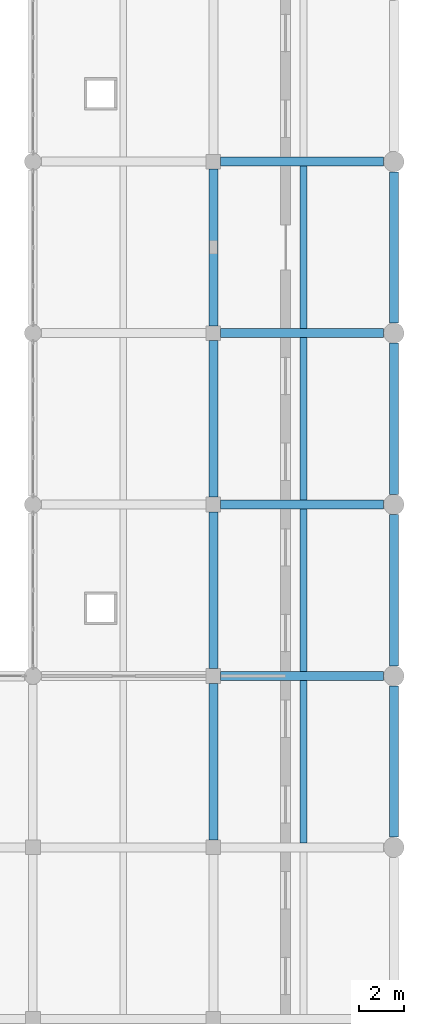
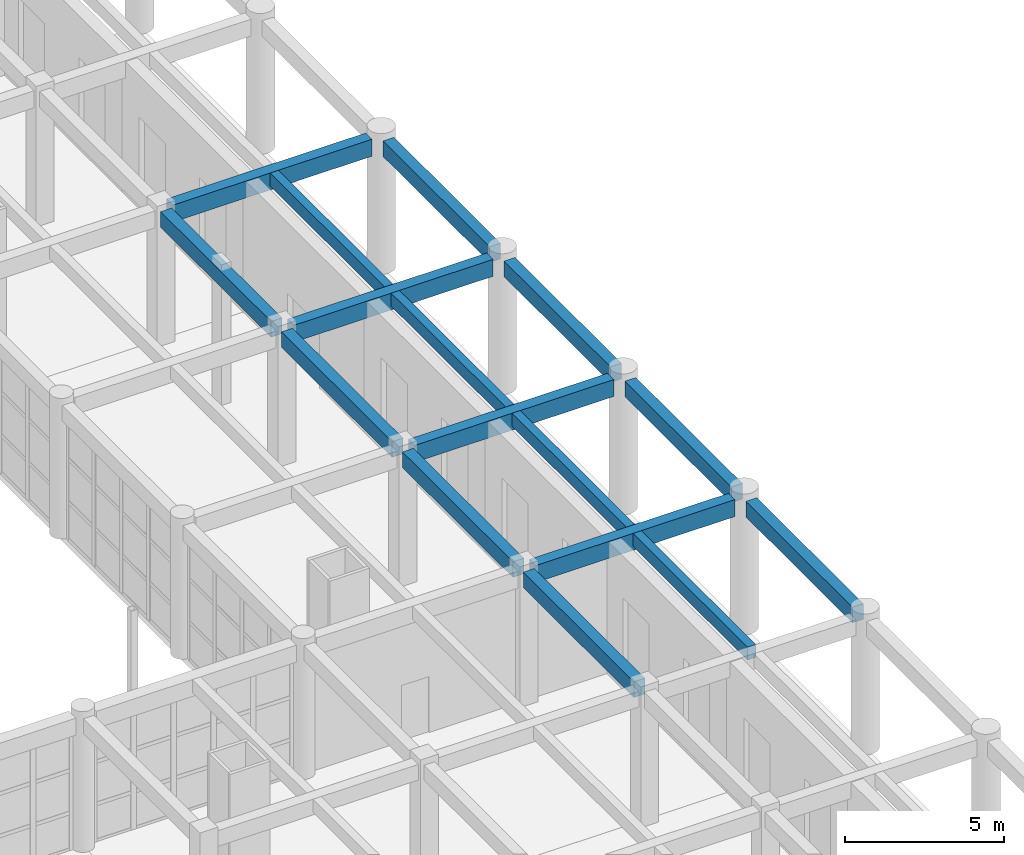
# One storey, part 53 of 95: 16 beams.
"""IFC4 building model written with IfcOpenShell, lengths in metres."""

from ifc_helpers import new_model, si_unit, direction, frame, origin, origin_2d, place, context, subcontext, project, spatial, rectangle, extrude, material, material_profile, profile_set, type_object, element, save


model = new_model("IFC4")

# Units and contexts
model_context = context("Model", 3, precision=1e-05, world=origin(), true_north=direction((0.0, 1.0)))
body_context = subcontext(model_context, "Body", "Model", "MODEL_VIEW")
ifc_project = project(units=[si_unit("LENGTHUNIT", "METRE"), si_unit("AREAUNIT", "SQUARE_METRE"), si_unit("VOLUMEUNIT", "CUBIC_METRE"), si_unit("PLANEANGLEUNIT", "RADIAN"), si_unit("MASSUNIT", "GRAM", prefix="KILO")], contexts=[model_context])

# Site, building, storey
site_placement = place(None, origin())
site = spatial("IfcSite", under=ifc_project, at=site_placement, CompositionType="ELEMENT")
building_placement = place(site_placement, origin())
building = spatial("IfcBuilding", under=site, at=building_placement, Name="Zantavel Square City Hall", CompositionType="ELEMENT")
storey_placement = place(building_placement, origin())
storey = spatial("IfcBuildingStorey", under=building, at=storey_placement, Name="L01", CompositionType="ELEMENT", Elevation=0.0)

# Beams
ifc_material = material(Name="Concrete C35/45", Category="concrete")
ifc_material_profile_1 = material_profile(ifc_material, rectangle(XDim=0.300048828125, YDim=0.5, at=origin_2d()), Name="RC 300x500")
ifc_profile_set_1 = profile_set([ifc_material_profile_1], Name="Concrete C35/45")
beam_type_1 = type_object("IfcBeamType", Name="Floor Joist RC 300x500 C35/45", PredefinedType="JOIST", material=ifc_profile_set_1)
for number, where, z_axis, x_axis, name in (
    (1, (164.0, 30.60009765625, 4.89990234375), (0.0, 1.0, 0.0), (-1.0, 0.0, 0.0), "L01 Floor Joist JST-L01-1640-0304"),
    (2, (164.0, 38.199951171875, 4.89990234375), (0.0, 1.0, 0.0), (-1.0, 0.0, 0.0), "L01 Floor Joist JST-L01-1640-0380"),
    (3, (164.0, 45.800048828125, 4.89990234375), (0.0, 1.0, 0.0), (-1.0, 0.0, 0.0), "L01 Floor Joist JST-L01-1640-0456"),
):
    element("IfcBeam", number, at=place(storey_placement, frame(where, z_axis=z_axis, x_axis=x_axis)), inside=storey, type_object=beam_type_1, Name=name, PredefinedType="JOIST", context=body_context, shape_type="SweptSolid", body=[
        extrude(rectangle(XDim=0.300048828125, YDim=0.5, at=origin_2d()), origin(), (0.0, 0.0, 1.0), 7.199951171875),
    ])
beam_1_placement = place(storey_placement, frame((164.0, 53.39990234375, 4.89990234375), z_axis=(0.0, 1.0, 0.0), x_axis=(-1.0, 0.0, 0.0)))
element("IfcBeam", 4, at=beam_1_placement, inside=storey, type_object=beam_type_1, Name="L01 Floor Joist JST-L01-1640-0532", PredefinedType="JOIST", context=body_context, shape_type="SweptSolid", body=[
    extrude(rectangle(XDim=0.300048828125, YDim=0.5, at=origin_2d()), origin(), (0.0, 0.0, 1.0), 7.2001953125),
])
ifc_material_profile_2 = material_profile(ifc_material, rectangle(XDim=0.39990234375, YDim=0.64990234375, at=origin_2d()), Name="RC 400x650")
ifc_profile_set_2 = profile_set([ifc_material_profile_2], Name="Concrete C35/45")
beam_type_2 = type_object("IfcBeamType", Name="Frame Beam RC 400x650 C35/45", PredefinedType="BEAM", material=ifc_profile_set_2)
for number, where, z_axis, x_axis, name in (
    (5, (160.324951171875, 38.0, 4.824951171875), (1.0, 0.0, 0.0), (0.0, 1.0, 0.0), "L01 Girder BMX-L01-1600-0380"),
    (6, (160.324951171875, 45.60009765625, 4.824951171875), (1.0, 0.0, 0.0), (0.0, 1.0, 0.0), "L01 Girder BMX-L01-1600-0456"),
    (7, (160.324951171875, 53.199951171875, 4.824951171875), (1.0, 0.0, 0.0), (0.0, 1.0, 0.0), "L01 Girder BMX-L01-1600-0532"),
    (8, (160.324951171875, 60.800048828125, 4.824951171875), (1.0, 0.0, 0.0), (0.0, 1.0, 0.0), "L01 Girder BMX-L01-1600-0608"),
):
    element("IfcBeam", number, at=place(storey_placement, frame(where, z_axis=z_axis, x_axis=x_axis)), inside=storey, type_object=beam_type_2, Name=name, PredefinedType="BEAM", context=body_context, shape_type="SweptSolid", body=[
        extrude(rectangle(XDim=0.39990234375, YDim=0.64990234375, at=origin_2d()), origin(), (0.0, 0.0, 1.0), 7.22509765625),
    ])
ifc_material_profile_3 = material_profile(ifc_material, rectangle(XDim=0.39990234375, YDim=0.60009765625, at=origin_2d()), Name="RC 400x600")
ifc_profile_set_3 = profile_set([ifc_material_profile_3], Name="Concrete C35/45")
beam_type_3 = type_object("IfcBeamType", Name="Perimeter Spandrel RC 400x600 C35/45", PredefinedType="SPANDREL", material=ifc_profile_set_3)
for number, where, z_axis, x_axis, name in (
    (9, (160.0, 30.72509765625, 4.860107421875), (0.0, 1.0, 0.0), (-1.0, 0.0, 0.0), "L01 Beam BMY-L01-1600-0304"),
    (10, (160.0, 38.324951171875, 4.860107421875), (0.0, 1.0, 0.0), (-1.0, 0.0, 0.0), "L01 Beam BMY-L01-1600-0380"),
    (11, (160.0, 45.925048828125, 4.860107421875), (0.0, 1.0, 0.0), (-1.0, 0.0, 0.0), "L01 Beam BMY-L01-1600-0456"),
):
    element("IfcBeam", number, at=place(storey_placement, frame(where, z_axis=z_axis, x_axis=x_axis)), inside=storey, type_object=beam_type_3, Name=name, PredefinedType="SPANDREL", context=body_context, shape_type="SweptSolid", body=[
        extrude(rectangle(XDim=0.39990234375, YDim=0.60009765625, at=origin_2d()), origin(), (0.0, 0.0, 1.0), 6.949951171875),
    ])
beam_2_placement = place(storey_placement, frame((160.0, 53.52490234375, 4.860107421875), z_axis=(0.0, 1.0, 0.0), x_axis=(-1.0, 0.0, 0.0)))
element("IfcBeam", 12, at=beam_2_placement, inside=storey, type_object=beam_type_3, Name="L01 Beam BMY-L01-1600-0532", PredefinedType="SPANDREL", context=body_context, shape_type="SweptSolid", body=[
    extrude(rectangle(XDim=0.39990234375, YDim=0.60009765625, at=origin_2d()), origin(), (0.0, 0.0, 1.0), 6.9501953125),
])
for number, where, z_axis, x_axis, name in (
    (13, (168.0, 30.85009765625, 4.85009765625), (0.0, 1.0, 0.0), (-1.0, 0.0, 0.0), "L01 Beam BMY-L01-1680-0304"),
    (14, (168.0, 38.449951171875, 4.85009765625), (0.0, 1.0, 0.0), (-1.0, 0.0, 0.0), "L01 Beam BMY-L01-1680-0380"),
    (15, (168.0, 46.050048828125, 4.85009765625), (0.0, 1.0, 0.0), (-1.0, 0.0, 0.0), "L01 Beam BMY-L01-1680-0456"),
):
    element("IfcBeam", number, at=place(storey_placement, frame(where, z_axis=z_axis, x_axis=x_axis)), inside=storey, type_object=beam_type_3, Name=name, PredefinedType="SPANDREL", context=body_context, shape_type="SweptSolid", body=[
        extrude(rectangle(XDim=0.39990234375, YDim=0.60009765625, at=origin_2d()), origin(), (0.0, 0.0, 1.0), 6.699951171875),
    ])
beam_3_placement = place(storey_placement, frame((168.0, 53.64990234375, 4.85009765625), z_axis=(0.0, 1.0, 0.0), x_axis=(-1.0, 0.0, 0.0)))
element("IfcBeam", 16, at=beam_3_placement, inside=storey, type_object=beam_type_3, Name="L01 Beam BMY-L01-1680-0532", PredefinedType="SPANDREL", context=body_context, shape_type="SweptSolid", body=[
    extrude(rectangle(XDim=0.39990234375, YDim=0.60009765625, at=origin_2d()), origin(), (0.0, 0.0, 1.0), 6.7001953125),
])

save(model, "model.ifc")
